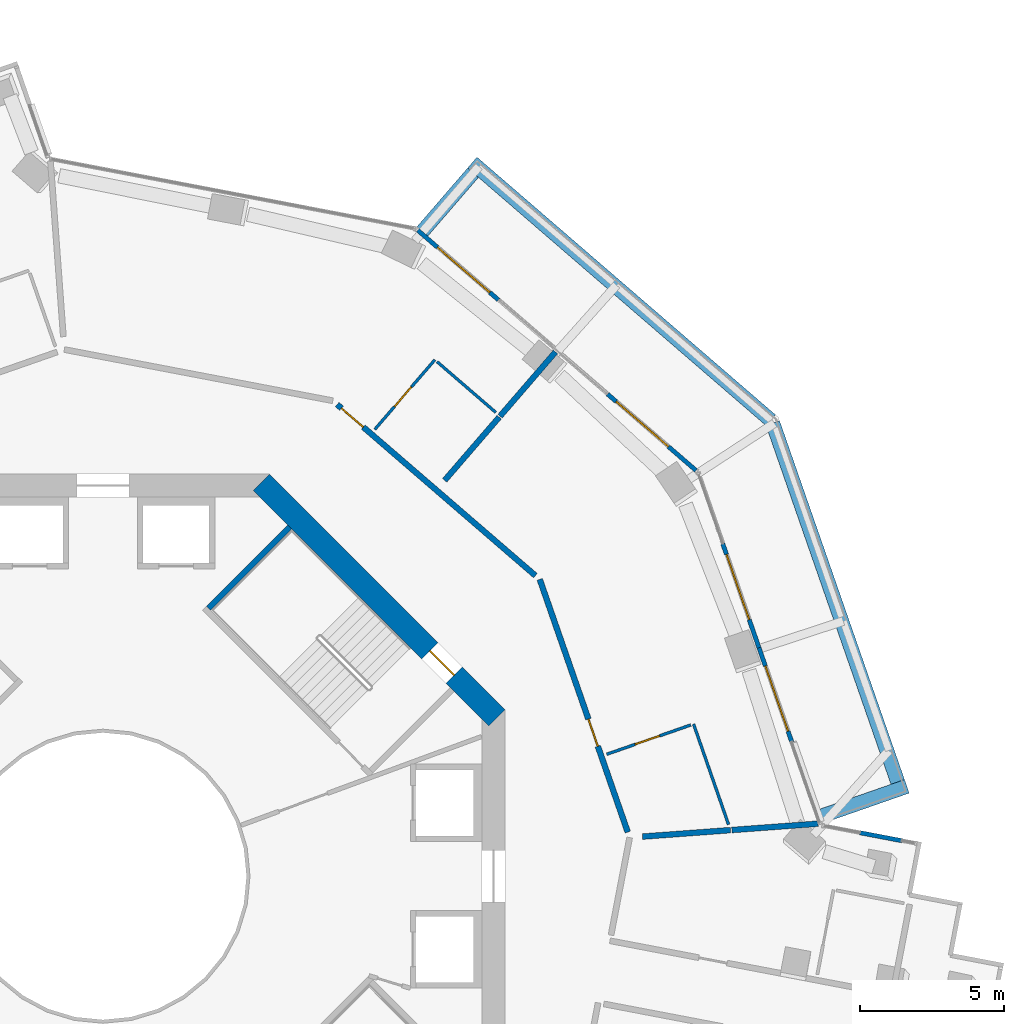
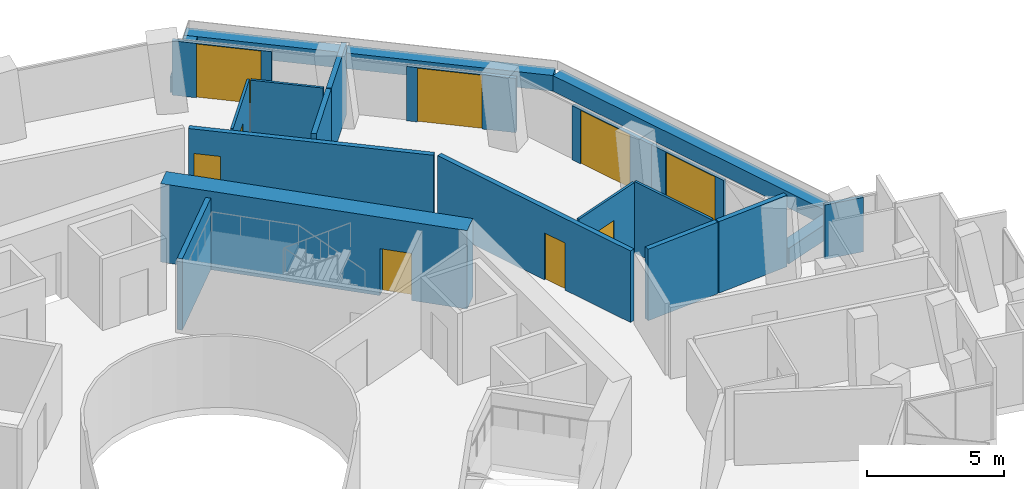
# One storey, part 20 of 23: 21 walls, 9 doors, 9 openings.
"""IFC4 building model written with IfcOpenShell, lengths in metres."""

import ifcopenshell
import ifcopenshell.guid

model = None  # the IFC model being written
_history = None  # IfcOwnerHistory: only IFC2X3 demands one
_inside = {}  # id of a spatial element -> (the spatial element, [elements in it])
_under = {}  # id of a project, library or spatial element -> (it, [spatial elements below it])
_declared = {}  # id of a project -> (the project, [libraries it declares])
_typed = {}  # id of a type object -> (the type object, [elements of that type])
_made_of = {}  # id of a material, layer set ... -> (it, [elements and type objects made of it])


def new_model(schema):
    """Start an empty IFC model of exactly this schema.

    Asked for "IFC4X3", IfcOpenShell would pick the latest addendum, in which some entities
    have other attributes; the version numbers below select the first issue.
    IFC2X3 requires an IfcOwnerHistory on every rooted entity: one is made here for all.
    """
    global model, _history
    if schema == "IFC4X3":
        model = ifcopenshell.file(schema_version=(4, 3, 0, 0))
    else:
        model = ifcopenshell.file(schema=schema)
    _inside.clear()
    _under.clear()
    _declared.clear()
    _typed.clear()
    _made_of.clear()
    _history = None
    if model.schema == "IFC2X3":
        org = make("IfcOrganization", Name="unknown")
        user = make(
            "IfcPersonAndOrganization",
            ThePerson=make("IfcPerson", FamilyName="unknown"),
            TheOrganization=org,
        )
        app = make(
            "IfcApplication",
            ApplicationDeveloper=org,
            Version="unknown",
            ApplicationFullName="unknown",
            ApplicationIdentifier="unknown",
        )
        _history = make(
            "IfcOwnerHistory",
            OwningUser=user,
            OwningApplication=app,
            ChangeAction="ADDED",
            CreationDate=0,
        )
    return model


def make(cls, **values):
    """One entity of the class cls with the attributes given. An attribute that is None is left unset."""
    return model.create_entity(
        cls, **{name: value for name, value in values.items() if value is not None}
    )


def rooted(cls, **values):
    """An entity with a GlobalId (a new one), such as an element, a storey or a relation."""
    return make(cls, GlobalId=ifcopenshell.guid.new(), OwnerHistory=_history, **values)


def si_unit(unit_type, name, prefix=None):
    """IfcSIUnit, for example si_unit("LENGTHUNIT", "METRE", prefix="MILLI")."""
    return make("IfcSIUnit", UnitType=unit_type, Prefix=prefix, Name=name)


def assignment(units):
    """IfcUnitAssignment: the units of a project."""
    return None if units is None else make("IfcUnitAssignment", Units=units)


def point(xyz):
    """IfcCartesianPoint."""
    return None if xyz is None else make("IfcCartesianPoint", Coordinates=xyz)


def direction(xyz):
    """IfcDirection."""
    return None if xyz is None else make("IfcDirection", DirectionRatios=xyz)


def frame(location, z_axis=None, x_axis=None):
    """IfcAxis2Placement3D, a coordinate frame: its origin and axes. An axis left out is left unset."""
    return make(
        "IfcAxis2Placement3D",
        Location=point(location),
        Axis=direction(z_axis),
        RefDirection=direction(x_axis),
    )


def frame_2d(location, x_axis=None):
    """IfcAxis2Placement2D, a coordinate frame in the plane: its origin and x axis."""
    return make(
        "IfcAxis2Placement2D", Location=point(location), RefDirection=direction(x_axis)
    )


def origin():
    """The frame at (0, 0, 0) with its axes left unset."""
    return frame((0.0, 0.0, 0.0))


def place(relative_to, where):
    """IfcLocalPlacement: puts the frame where relative to a parent placement (None: the world)."""
    return make(
        "IfcLocalPlacement", PlacementRelTo=relative_to, RelativePlacement=where
    )


def context(
    kind, dimensions, precision=None, world=None, true_north=None, identifier=None
):
    """IfcGeometricRepresentationContext, for example the 3D "Model" context."""
    return make(
        "IfcGeometricRepresentationContext",
        ContextIdentifier=identifier,
        ContextType=kind,
        CoordinateSpaceDimension=dimensions,
        Precision=precision,
        WorldCoordinateSystem=world,
        TrueNorth=true_north,
    )


def subcontext(parent, identifier, kind, view, scale=None):
    """IfcGeometricRepresentationSubContext, for example "Body" below "Model"."""
    return make(
        "IfcGeometricRepresentationSubContext",
        ContextIdentifier=identifier,
        ContextType=kind,
        ParentContext=parent,
        TargetScale=scale,
        TargetView=view,
    )


def project(units=None, contexts=None):
    """IfcProject with its units and contexts."""
    return rooted(
        "IfcProject",
        Name="project",
        RepresentationContexts=contexts,
        UnitsInContext=assignment(units),
    )


def spatial(cls, under=None, at=None, **own):
    """A site, building, storey or space (cls), placed at a placement, below another one or the project."""
    s = rooted(cls, ObjectPlacement=at, **own)
    if under is not None:
        _under.setdefault(under.id(), (under, []))[1].append(s)
    return s


def profile(cls, at=None, kind="AREA", **sizes):
    """A parametric profile (cls). Its sizes go by their IFC names, for example OverallWidth=200.0."""
    return make(cls, ProfileType=kind, Position=at, **sizes)


def rectangle(**sizes):
    """IfcRectangleProfileDef."""
    return profile("IfcRectangleProfileDef", **sizes)


def extrude(swept, where, along, depth):
    """IfcExtrudedAreaSolid: the profile swept, set in the frame where, extruded along a direction by depth."""
    return make(
        "IfcExtrudedAreaSolid",
        SweptArea=swept,
        Position=where,
        ExtrudedDirection=direction(along),
        Depth=depth,
    )


def shape(context_of_items, identifier, shape_type, items):
    """IfcShapeRepresentation: the items that make up one representation, for example the "Body"."""
    return make(
        "IfcShapeRepresentation",
        ContextOfItems=context_of_items,
        RepresentationIdentifier=identifier,
        RepresentationType=shape_type,
        Items=items,
    )


def material(Name=None, Category=None):
    """IfcMaterial."""
    return make("IfcMaterial", Name=Name, Category=Category)


def layer(
    of_material, thickness, ventilated=None, Name=None, Category=None, Priority=None
):
    """IfcMaterialLayer: one layer of a wall or slab, of a material (None: an air gap)."""
    return make(
        "IfcMaterialLayer",
        Material=of_material,
        LayerThickness=thickness,
        IsVentilated=ventilated,
        Name=Name,
        Category=Category,
        Priority=Priority,
    )


def layer_set(layers, Name=None):
    """IfcMaterialLayerSet."""
    return make("IfcMaterialLayerSet", MaterialLayers=layers, LayerSetName=Name)


def made_of(thing, what):
    """Note that an element or type object is made of a material, layer set ...; save() writes the relation."""
    if what is not None:
        _made_of.setdefault(what.id(), (what, []))[1].append(thing)
    return thing


def type_object(cls, material=None, **own):
    """A type object (cls), such as IfcWallType, which elements share."""
    return made_of(rooted(cls, **own), material)


def element(
    cls,
    number,
    at=None,
    inside=None,
    cuts=None,
    type_object=None,
    material=None,
    context=None,
    identifier="Body",
    shape_type=None,
    held_by="IfcProductDefinitionShape",
    body=None,
    shapes=None,
    **own,
):
    """One element of the class cls, such as IfcWall. Its Tag is "e" and its number.

    at: its placement. inside: the storey or other place that contains it. cuts: it is an
    opening in that element (IfcRelVoidsElement). A single representation is given by context,
    identifier, shape_type and body (its items); several are given by shapes. held_by: the class
    of the entity that holds the representations. save() writes the other relations.
    """
    e = rooted(cls, Tag="e%d" % number, ObjectPlacement=at, **own)
    if body is not None:
        shapes = [shape(context, identifier, shape_type, body)]
    if shapes is not None:
        e.Representation = make(held_by, Representations=shapes)
    if inside is not None:
        _inside.setdefault(inside.id(), (inside, []))[1].append(e)
    if cuts is not None:
        rooted(
            "IfcRelVoidsElement", RelatingBuildingElement=cuts, RelatedOpeningElement=e
        )
    if type_object is not None:
        _typed.setdefault(type_object.id(), (type_object, []))[1].append(e)
    return made_of(e, material)


def fill(opening, filler):
    """IfcRelFillsElement: the door or window that sits in an opening."""
    return rooted(
        "IfcRelFillsElement",
        RelatingOpeningElement=opening,
        RelatedBuildingElement=filler,
    )


def aggregate(whole, parts):
    """IfcRelAggregates: a whole, such as a stair, and the parts it consists of."""
    return rooted("IfcRelAggregates", RelatingObject=whole, RelatedObjects=parts)


def save(model, path):
    """Write the relations noted so far, then the file.

    IfcRelAggregates (storeys below a building ...), IfcRelContainedInSpatialStructure (elements
    in a storey), IfcRelDefinesByType, IfcRelAssociatesMaterial and IfcRelDeclares: one each for
    every whole, place, type object, material and project.
    """
    for whole, parts in _under.values():
        aggregate(whole, parts)
    for where, things in _inside.values():
        rooted(
            "IfcRelContainedInSpatialStructure",
            RelatedElements=things,
            RelatingStructure=where,
        )
    for kind, things in _typed.values():
        rooted("IfcRelDefinesByType", RelatedObjects=things, RelatingType=kind)
    for what, things in _made_of.values():
        rooted("IfcRelAssociatesMaterial", RelatedObjects=things, RelatingMaterial=what)
    for by, libraries in _declared.values():
        rooted("IfcRelDeclares", RelatingContext=by, RelatedDefinitions=libraries)
    model.write(path)


model = new_model("IFC4")

# Units and contexts
model_context = context("Model", 3, precision=1e-05, world=origin(), true_north=direction((0.0, 1.0)))
body_context = subcontext(model_context, "Body", "Model", "MODEL_VIEW")
ifc_project = project(units=[si_unit("LENGTHUNIT", "METRE"), si_unit("AREAUNIT", "SQUARE_METRE"), si_unit("VOLUMEUNIT", "CUBIC_METRE"), si_unit("PLANEANGLEUNIT", "RADIAN"), si_unit("MASSUNIT", "GRAM", prefix="KILO")], contexts=[model_context])

# Site, building, storey
site_placement = place(None, origin())
site = spatial("IfcSite", under=ifc_project, at=site_placement, CompositionType="ELEMENT")
building_placement = place(site_placement, origin())
building = spatial("IfcBuilding", under=site, at=building_placement, Name="Verdalira Terraces Hotel", CompositionType="ELEMENT")
storey_placement = place(building_placement, frame((0.0, 0.0, 111.5)))
storey = spatial("IfcBuildingStorey", under=building, at=storey_placement, Name="L26", CompositionType="ELEMENT", Elevation=111.5)

# Walls
ifc_material_1 = material(Name="Concrete C40", Category="concrete")
ifc_layer_1 = layer(ifc_material_1, 0.5)
ifc_layer_set_1 = layer_set([ifc_layer_1], Name="Balcony planter trough with tree")
wall_type_1 = type_object("IfcWallType", Name="Balcony planter trough with tree", PredefinedType="SOLIDWALL", material=ifc_layer_set_1)
wall_1_placement = place(storey_placement, frame((24.965332, 2.075684, 0.0), z_axis=(0.0, 0.0, 1.0), x_axis=(0.944378331, 0.328861017, 0.0)))
element("IfcWall", 1, at=wall_1_placement, inside=storey, type_object=wall_type_1, Name="Balcony planter", PredefinedType="SOLIDWALL", context=body_context, shape_type="SweptSolid", body=[
    extrude(rectangle(XDim=3.198975, YDim=0.5, at=frame_2d((1.599609, 0.0))), origin(), (0.0, 0.0, 1.0), 0.699951),
])
wall_2_placement = place(storey_placement, frame((27.668213, 3.281738, 0.0), z_axis=(0.0, 0.0, 1.0), x_axis=(-0.328877933, 0.94437244, 0.0)))
element("IfcWall", 2, at=wall_2_placement, inside=storey, type_object=wall_type_1, Name="Balcony planter", PredefinedType="SOLIDWALL", context=body_context, shape_type="SweptSolid", body=[
    extrude(rectangle(XDim=13.223389, YDim=0.5, at=frame_2d((6.611816, 0.0))), origin(), (0.0, 0.0, 1.0), 0.699951),
])
wall_3_placement = place(storey_placement, frame((23.246582, 15.876709, 0.0), z_axis=(0.0, 0.0, 1.0), x_axis=(-0.757002985, 0.653411418, 0.0)))
element("IfcWall", 3, at=wall_3_placement, inside=storey, type_object=wall_type_1, Name="Balcony planter", PredefinedType="SOLIDWALL", context=body_context, shape_type="SweptSolid", body=[
    extrude(rectangle(XDim=13.723389, YDim=0.5, at=frame_2d((6.861816, 0.0))), origin(), (0.0, 0.0, 1.0), 0.699951),
])
wall_4_placement = place(storey_placement, frame((12.883789, 24.491211, 0.0), z_axis=(0.0, 0.0, 1.0), x_axis=(-0.65337255, -0.757036532, 0.0)))
element("IfcWall", 4, at=wall_4_placement, inside=storey, type_object=wall_type_1, Name="Balcony planter", PredefinedType="SOLIDWALL", context=body_context, shape_type="SweptSolid", body=[
    extrude(rectangle(XDim=2.698975, YDim=0.5, at=frame_2d((1.349609, 0.0))), origin(), (0.0, 0.0, 1.0), 0.699951),
])

# Wall, opening, door
ifc_material_2 = material(Name="Moisture-resistant gypsum board partition")
ifc_layer_2 = layer(ifc_material_2, 0.10009765625)
ifc_layer_set_2 = layer_set([ifc_layer_2], Name="Bathroom partition 100 mm")
wall_type_2 = type_object("IfcWallType", Name="Bathroom partition 100 mm", PredefinedType="PARTITIONING", material=ifc_layer_set_2)
wall_5_placement = place(storey_placement, frame((11.554199, 17.977051, 0.0), z_axis=(0.0, 0.0, 1.0), x_axis=(-0.653401338, -0.757011685, 0.0)))
wall_5 = element("IfcWall", 5, at=wall_5_placement, inside=storey, type_object=wall_type_2, Name="Bathroom partition", PredefinedType="PARTITIONING", context=body_context, shape_type="SweptSolid", body=[
    extrude(rectangle(XDim=3.199951, YDim=0.100098, at=frame_2d((1.600098, 0.0))), origin(), (0.0, 0.0, 1.0), 3.189941),
])
opening_1_placement = place(wall_5_placement, frame((1.25, 0.0, 0.0)))
opening_1 = element("IfcOpeningElement", 6, at=opening_1_placement, cuts=wall_5, Name="Opening L26-130", PredefinedType="OPENING", context=body_context, shape_type="SweptSolid", body=[
    extrude(rectangle(XDim=0.899902, YDim=2.100098, at=frame_2d((0.449951, 1.050049))), frame((0.0, 0.060059, 0.0), z_axis=(0.0, -1.0, 0.0), x_axis=(1.0, 0.0, 0.0)), (0.0, 0.0, 1.0), 0.120117),
])
ifc_material_3 = material(Name="Timber door", Category="wood")
door_type_1 = type_object("IfcDoorType", Name="Bathroom door 900 x 2100", OperationType="NOTDEFINED", PredefinedType="DOOR", material=ifc_material_3)
door_1_placement = place(opening_1_placement, origin())
door_1 = element("IfcDoor", 7, at=door_1_placement, inside=storey, type_object=door_type_1, Name="Bathroom door 2614", OperationType="SINGLE_SWING_LEFT", OverallHeight=2.10009765625, OverallWidth=0.89990234375, PredefinedType="DOOR", context=body_context, shape_type="SweptSolid", body=[
    extrude(rectangle(XDim=0.899902, YDim=2.100098, at=frame_2d((0.449951, 1.050049))), frame((0.0, 0.024902, 0.0), z_axis=(0.0, -1.0, 0.0), x_axis=(1.0, 0.0, 0.0)), (0.0, 0.0, 1.0), 0.050049),
])
fill(opening_1, door_1)

# Wall
wall_6_placement = place(storey_placement, frame((11.629883, 17.911621, 0.0), z_axis=(0.0, 0.0, 1.0), x_axis=(0.757018158, -0.653393838, 0.0)))
element("IfcWall", 8, at=wall_6_placement, inside=storey, type_object=wall_type_2, Name="Bathroom partition", PredefinedType="PARTITIONING", context=body_context, shape_type="SweptSolid", body=[
    extrude(rectangle(XDim=2.699951, YDim=0.100098, at=frame_2d((1.350098, 0.0))), origin(), (0.0, 0.0, 1.0), 3.189941),
])

# Wall, opening, door
wall_7_placement = place(storey_placement, frame((20.465088, 5.264893, 0.0), z_axis=(0.0, 0.0, 1.0), x_axis=(-0.944369228, -0.328887157, 0.0)))
wall_7 = element("IfcWall", 9, at=wall_7_placement, inside=storey, type_object=wall_type_2, Name="Bathroom partition", PredefinedType="PARTITIONING", context=body_context, shape_type="SweptSolid", body=[
    extrude(rectangle(XDim=3.099854, YDim=0.100098, at=frame_2d((1.549805, 0.0))), origin(), (0.0, 0.0, 1.0), 3.189941),
])
opening_2_placement = place(wall_7_placement, frame((1.149902, 0.0, 0.0)))
opening_2 = element("IfcOpeningElement", 10, at=opening_2_placement, cuts=wall_7, Name="Opening L26-128", PredefinedType="OPENING", context=body_context, shape_type="SweptSolid", body=[
    extrude(rectangle(XDim=0.899902, YDim=2.100098, at=frame_2d((0.449951, 1.050049))), frame((0.0, 0.060059, 0.0), z_axis=(0.0, -1.0, 0.0), x_axis=(1.0, 0.0, 0.0)), (0.0, 0.0, 1.0), 0.120117),
])
door_2_placement = place(opening_2_placement, origin())
door_2 = element("IfcDoor", 11, at=door_2_placement, inside=storey, type_object=door_type_1, Name="Bathroom door 2613", OperationType="SINGLE_SWING_LEFT", OverallHeight=2.10009765625, OverallWidth=0.89990234375, PredefinedType="DOOR", context=body_context, shape_type="SweptSolid", body=[
    extrude(rectangle(XDim=0.899902, YDim=2.100098, at=frame_2d((0.449951, 1.050049))), frame((0.0, 0.024902, 0.0), z_axis=(0.0, -1.0, 0.0), x_axis=(1.0, 0.0, 0.0)), (0.0, 0.0, 1.0), 0.050049),
])
fill(opening_2, door_2)

# Walls
wall_8_placement = place(storey_placement, frame((20.559814, 5.297607, 0.0), z_axis=(0.0, 0.0, 1.0), x_axis=(0.32885552, -0.944380245, 0.0)))
element("IfcWall", 12, at=wall_8_placement, inside=storey, type_object=wall_type_2, Name="Bathroom partition", PredefinedType="PARTITIONING", context=body_context, shape_type="SweptSolid", body=[
    extrude(rectangle(XDim=3.703857, YDim=0.100098, at=frame_2d((1.852051, 0.0))), origin(), (0.0, 0.0, 1.0), 3.189941),
])
ifc_material_4 = material(Name="Concrete C50", Category="concrete")
ifc_layer_3 = layer(ifc_material_4, 0.199951171875)
ifc_layer_set_3 = layer_set([ifc_layer_3], Name="Core RC wall 200 C50")
wall_type_3 = type_object("IfcWallType", Name="Core RC wall 200 C50", PredefinedType="SOLIDWALL", material=ifc_layer_set_3)
wall_9_placement = place(storey_placement, frame((3.677002, 9.33374, 0.0), z_axis=(0.0, 0.0, 1.0), x_axis=(0.707106781, 0.707106781, 0.0)))
element("IfcWall", 13, at=wall_9_placement, inside=storey, type_object=wall_type_3, Name="L26 stair ST1 end wall 2", PredefinedType="SOLIDWALL", context=body_context, shape_type="SweptSolid", body=[
    extrude(rectangle(XDim=4.0, YDim=0.199951, at=frame_2d((2.0, 0.0))), origin(), (0.0, 0.0, 1.0), 3.189941),
])

# Wall, opening, door
ifc_material_5 = material(Name="Concrete C70", Category="concrete")
ifc_layer_4 = layer(ifc_material_5, 0.800048828125)
ifc_layer_set_4 = layer_set([ifc_layer_4], Name="Core wall 800 C70")
wall_type_4 = type_object("IfcWallType", Name="Core wall 800 C70", PredefinedType="SHEAR", material=ifc_layer_set_4)
wall_10_placement = place(storey_placement, frame((13.717285, 5.516113, 0.0), z_axis=(0.0, 0.0, 1.0), x_axis=(-0.707106781, 0.707106781, 0.0)))
wall_10 = element("IfcWall", 14, at=wall_10_placement, inside=storey, type_object=wall_type_4, Name="Core wall CW-L26-2", PredefinedType="SHEAR", context=body_context, shape_type="SweptSolid", body=[
    extrude(rectangle(XDim=11.598145, YDim=0.800049, at=frame_2d((5.799072, 0.0))), origin(), (0.0, 0.0, 1.0), 3.5),
])
opening_3_placement = place(wall_10_placement, frame((2.099121, 0.0, 0.0)))
opening_3 = element("IfcOpeningElement", 15, at=opening_3_placement, cuts=wall_10, Name="Opening L26-816", PredefinedType="OPENING", context=body_context, shape_type="SweptSolid", body=[
    extrude(rectangle(XDim=1.199951, YDim=2.100098, at=frame_2d((0.600098, 1.050049))), frame((0.0, 0.409912, 0.0), z_axis=(0.0, -1.0, 0.0), x_axis=(1.0, 0.0, 0.0)), (0.0, 0.0, 1.0), 0.820068),
])
ifc_material_6 = material(Name="Steel fire door", Category="steel")
door_type_2 = type_object("IfcDoorType", Name="Stair door 1200 x 2100", OperationType="NOTDEFINED", PredefinedType="DOOR", material=ifc_material_6)
door_3_placement = place(opening_3_placement, origin())
door_3 = element("IfcDoor", 16, at=door_3_placement, inside=storey, type_object=door_type_2, Name="Stair exit door ST1 L26", OperationType="SINGLE_SWING_LEFT", OverallHeight=2.10009765625, OverallWidth=1.199951171875, PredefinedType="DOOR", context=body_context, shape_type="SweptSolid", body=[
    extrude(rectangle(XDim=1.199951, YDim=2.100098, at=frame_2d((0.600098, 1.050049))), frame((0.0, 0.024902, 0.0), z_axis=(0.0, -1.0, 0.0), x_axis=(1.0, 0.0, 0.0)), (0.0, 0.0, 1.0), 0.050049),
])
fill(opening_3, door_3)

# Walls
ifc_material_7 = material(Name="Fire-rated gypsum board wall")
ifc_layer_5 = layer(ifc_material_7, 0.199951171875)
ifc_layer_set_5 = layer_set([ifc_layer_5], Name="Demising wall 200 mm")
wall_type_5 = type_object("IfcWallType", Name="Demising wall 200 mm", PredefinedType="SOLIDWALL", material=ifc_layer_set_5)
wall_11_placement = place(storey_placement, frame((11.895996, 13.781494, 0.0), z_axis=(0.0, 0.0, 1.0), x_axis=(0.653390076, 0.757021406, 0.0)))
element("IfcWall", 17, at=wall_11_placement, inside=storey, type_object=wall_type_5, Name="Demising wall", PredefinedType="SOLIDWALL", context=body_context, shape_type="SweptSolid", body=[
    extrude(rectangle(XDim=2.904785, YDim=0.199951, at=frame_2d((1.452393, 0.0))), origin(), (0.0, 0.0, 1.0), 3.189941),
])
wall_12_placement = place(storey_placement, frame((13.823975, 16.015137, 0.0), z_axis=(0.0, 0.0, 1.0), x_axis=(0.653389434, 0.75702196, 0.0)))
element("IfcWall", 18, at=wall_12_placement, inside=storey, type_object=wall_type_5, Name="Demising wall", PredefinedType="SOLIDWALL", context=body_context, shape_type="SweptSolid", body=[
    extrude(rectangle(XDim=2.951904, YDim=0.199951, at=frame_2d((1.476074, 0.0))), origin(), (0.0, 0.0, 1.0), 3.189941),
])
wall_13_placement = place(storey_placement, frame((18.781494, 1.37915, 0.0), z_axis=(0.0, 0.0, 1.0), x_axis=(0.997310699, 0.073289632, 0.0)))
element("IfcWall", 19, at=wall_13_placement, inside=storey, type_object=wall_type_5, Name="Demising wall", PredefinedType="SOLIDWALL", context=body_context, shape_type="SweptSolid", body=[
    extrude(rectangle(XDim=3.074707, YDim=0.199951, at=frame_2d((1.537354, 0.0))), origin(), (0.0, 0.0, 1.0), 3.189941),
])
wall_14_placement = place(storey_placement, frame((21.893799, 1.60791, 0.0), z_axis=(0.0, 0.0, 1.0), x_axis=(0.997316425, 0.073211668, 0.0)))
element("IfcWall", 20, at=wall_14_placement, inside=storey, type_object=wall_type_5, Name="Demising wall", PredefinedType="SOLIDWALL", context=body_context, shape_type="SweptSolid", body=[
    extrude(rectangle(XDim=3.01123, YDim=0.199951, at=frame_2d((1.505615, 0.0))), origin(), (0.0, 0.0, 1.0), 3.189941),
])

# Wall, opening, door
ifc_material_8 = material(Name="Fire-rated gypsum board wall")
ifc_layer_6 = layer(ifc_material_8, 0.199951171875)
ifc_layer_set_6 = layer_set([ifc_layer_6], Name="Guest corridor wall 200 mm")
wall_type_6 = type_object("IfcWallType", Name="Guest corridor wall 200 mm", PredefinedType="SOLIDWALL", material=ifc_layer_set_6)
wall_15_placement = place(storey_placement, frame((8.15332, 16.421143, 0.0), z_axis=(0.0, 0.0, 1.0), x_axis=(0.757004243, -0.65340996, 0.0)))
wall_15 = element("IfcWall", 21, at=wall_15_placement, inside=storey, type_object=wall_type_6, Name="Guest corridor wall", PredefinedType="SOLIDWALL", context=body_context, shape_type="SweptSolid", body=[
    extrude(rectangle(XDim=9.115723, YDim=0.199951, at=frame_2d((4.557861, 0.0))), origin(), (0.0, 0.0, 1.0), 3.189941),
])
opening_4_placement = place(wall_15_placement, frame((0.199951, 0.0, 0.0)))
opening_4 = element("IfcOpeningElement", 22, at=opening_4_placement, cuts=wall_15, Name="Opening L26-129", PredefinedType="OPENING", context=body_context, shape_type="SweptSolid", body=[
    extrude(rectangle(XDim=1.0, YDim=2.100098, at=frame_2d((0.5, 1.050049))), frame((0.0, 0.109863, 0.0), z_axis=(0.0, -1.0, 0.0), x_axis=(1.0, 0.0, 0.0)), (0.0, 0.0, 1.0), 0.219971),
])
ifc_material_9 = material(Name="Timber fire door", Category="wood")
door_type_3 = type_object("IfcDoorType", Name="Guest entry door 1000 x 2100", OperationType="NOTDEFINED", PredefinedType="DOOR", material=ifc_material_9)
door_4_placement = place(opening_4_placement, origin())
door_4 = element("IfcDoor", 23, at=door_4_placement, inside=storey, type_object=door_type_3, Name="Guest entry door 2614", OperationType="SINGLE_SWING_LEFT", OverallHeight=2.10009765625, OverallWidth=1.0, PredefinedType="DOOR", context=body_context, shape_type="SweptSolid", body=[
    extrude(rectangle(XDim=1.0, YDim=2.100098, at=frame_2d((0.5, 1.050049))), frame((0.0, 0.024902, 0.0), z_axis=(0.0, -1.0, 0.0), x_axis=(1.0, 0.0, 0.0)), (0.0, 0.0, 1.0), 0.050049),
])
fill(opening_4, door_4)

wall_16_placement = place(storey_placement, frame((15.205811, 10.333252, 0.0), z_axis=(0.0, 0.0, 1.0), x_axis=(0.328865176, -0.944376882, 0.0)))
wall_16 = element("IfcWall", 24, at=wall_16_placement, inside=storey, type_object=wall_type_6, Name="Guest corridor wall", PredefinedType="SOLIDWALL", context=body_context, shape_type="SweptSolid", body=[
    extrude(rectangle(XDim=9.315918, YDim=0.199951, at=frame_2d((4.657959, 0.0))), origin(), (0.0, 0.0, 1.0), 3.189941),
])
opening_5_placement = place(wall_16_placement, frame((5.149902, 0.0, 0.0)))
opening_5 = element("IfcOpeningElement", 25, at=opening_5_placement, cuts=wall_16, Name="Opening L26-127", PredefinedType="OPENING", context=body_context, shape_type="SweptSolid", body=[
    extrude(rectangle(XDim=1.0, YDim=2.100098, at=frame_2d((0.5, 1.050049))), frame((0.0, 0.109863, 0.0), z_axis=(0.0, -1.0, 0.0), x_axis=(1.0, 0.0, 0.0)), (0.0, 0.0, 1.0), 0.219971),
])
door_5_placement = place(opening_5_placement, origin())
door_5 = element("IfcDoor", 26, at=door_5_placement, inside=storey, type_object=door_type_3, Name="Guest entry door 2613", OperationType="SINGLE_SWING_LEFT", OverallHeight=2.10009765625, OverallWidth=1.0, PredefinedType="DOOR", context=body_context, shape_type="SweptSolid", body=[
    extrude(rectangle(XDim=1.0, YDim=2.100098, at=frame_2d((0.5, 1.050049))), frame((0.0, 0.024902, 0.0), z_axis=(0.0, -1.0, 0.0), x_axis=(1.0, 0.0, 0.0)), (0.0, 0.0, 1.0), 0.050049),
])
fill(opening_5, door_5)

# Wall
ifc_material_10 = material(Name="Terracotta cladding", Category="masonry")
ifc_layer_7 = layer(ifc_material_10, 0.14990234375)
ifc_layer_set_7 = layer_set([ifc_layer_7], Name="Terracotta column pier 150")
wall_type_7 = type_object("IfcWallType", Name="Terracotta column pier 150", PredefinedType="SOLIDWALL", material=ifc_layer_set_7)
wall_17_placement = place(storey_placement, frame((27.81543, 1.234863, 0.0), z_axis=(0.0, 0.0, 1.0), x_axis=(-0.982305565, 0.187285281, 0.0)))
element("IfcWall", 27, at=wall_17_placement, inside=storey, type_object=wall_type_7, Name="Terracotta column pier", PredefinedType="SOLIDWALL", context=body_context, shape_type="SweptSolid", body=[
    extrude(rectangle(XDim=1.48999, YDim=0.149902, at=frame_2d((0.745117, 0.0))), origin(), (0.0, 0.0, 1.0), 2.425049),
])

# Wall, opening, door
ifc_material_11 = material(Name="Terracotta cladding", Category="masonry")
ifc_layer_8 = layer(ifc_material_11, 0.14990234375)
ifc_layer_set_8 = layer_set([ifc_layer_8], Name="Terracotta door pier 150")
wall_type_8 = type_object("IfcWallType", Name="Terracotta door pier 150", PredefinedType="SOLIDWALL", material=ifc_layer_set_8)
wall_18_placement = place(storey_placement, frame((23.980957, 4.671387, 0.0), z_axis=(0.0, 0.0, 1.0), x_axis=(-0.328866668, 0.944376363, 0.0)))
wall_18 = element("IfcWall", 28, at=wall_18_placement, inside=storey, type_object=wall_type_8, Name="Terracotta door pier", PredefinedType="SOLIDWALL", context=body_context, shape_type="SweptSolid", body=[
    extrude(rectangle(XDim=3.475098, YDim=0.149902, at=frame_2d((1.737549, 0.0))), origin(), (0.0, 0.0, 1.0), 2.425049),
])
opening_6_placement = place(wall_18_placement, frame((0.399902, 0.0, 0.0)))
opening_6 = element("IfcOpeningElement", 29, at=opening_6_placement, cuts=wall_18, Name="Opening L26-B14", PredefinedType="OPENING", context=body_context, shape_type="SweptSolid", body=[
    extrude(rectangle(XDim=2.399902, YDim=2.399902, at=frame_2d((1.199951, 1.199951))), frame((0.0, 0.084961, 0.0), z_axis=(0.0, -1.0, 0.0), x_axis=(1.0, 0.0, 0.0)), (0.0, 0.0, 1.0), 0.169922),
])
ifc_material_12 = material(Name="Clear glass", Category="glass")
door_type_4 = type_object("IfcDoorType", Name="Balcony sliding door 2400x2400", OperationType="NOTDEFINED", PredefinedType="DOOR", material=ifc_material_12)
door_6_placement = place(opening_6_placement, origin())
door_6 = element("IfcDoor", 30, at=door_6_placement, inside=storey, type_object=door_type_4, Name="Balcony sliding door", OperationType="SLIDING_TO_RIGHT", OverallHeight=2.39990234375, OverallWidth=2.39990234375, PredefinedType="DOOR", context=body_context, shape_type="SweptSolid", body=[
    extrude(rectangle(XDim=2.399902, YDim=2.399902, at=frame_2d((1.199951, 1.199951))), frame((0.0, 0.024902, 0.0), z_axis=(0.0, -1.0, 0.0), x_axis=(1.0, 0.0, 0.0)), (0.0, 0.0, 1.0), 0.050049),
])
fill(opening_6, door_6)

wall_19_placement = place(storey_placement, frame((22.838135, 7.953125, 0.0), z_axis=(0.0, 0.0, 1.0), x_axis=(-0.328841564, 0.944385104, 0.0)))
wall_19 = element("IfcWall", 31, at=wall_19_placement, inside=storey, type_object=wall_type_8, Name="Terracotta door pier", PredefinedType="SOLIDWALL", context=body_context, shape_type="SweptSolid", body=[
    extrude(rectangle(XDim=3.835449, YDim=0.149902, at=frame_2d((1.917725, 0.0))), origin(), (0.0, 0.0, 1.0), 2.425049),
])
opening_7_placement = place(wall_19_placement, frame((1.0354, 0.0, 0.0)))
opening_7 = element("IfcOpeningElement", 32, at=opening_7_placement, cuts=wall_19, Name="Opening L26-B15", PredefinedType="OPENING", context=body_context, shape_type="SweptSolid", body=[
    extrude(rectangle(XDim=2.399902, YDim=2.399902, at=frame_2d((1.199951, 1.199951))), frame((0.0, 0.084961, 0.0), z_axis=(0.0, -1.0, 0.0), x_axis=(1.0, 0.0, 0.0)), (0.0, 0.0, 1.0), 0.169922),
])
door_7_placement = place(opening_7_placement, origin())
door_7 = element("IfcDoor", 33, at=door_7_placement, inside=storey, type_object=door_type_4, Name="Balcony sliding door", OperationType="SLIDING_TO_LEFT", OverallHeight=2.39990234375, OverallWidth=2.39990234375, PredefinedType="DOOR", context=body_context, shape_type="SweptSolid", body=[
    extrude(rectangle(XDim=2.399902, YDim=2.399902, at=frame_2d((1.199951, 1.199951))), frame((0.0, 0.024902, 0.0), z_axis=(0.0, -1.0, 0.0), x_axis=(1.0, 0.0, 0.0)), (0.0, 0.0, 1.0), 0.050049),
])
fill(opening_7, door_7)

wall_20_placement = place(storey_placement, frame((20.646484, 14.125, 0.0), z_axis=(0.0, 0.0, 1.0), x_axis=(-0.757002464, 0.653412021, 0.0)))
wall_20 = element("IfcWall", 34, at=wall_20_placement, inside=storey, type_object=wall_type_8, Name="Terracotta door pier", PredefinedType="SOLIDWALL", context=body_context, shape_type="SweptSolid", body=[
    extrude(rectangle(XDim=4.067871, YDim=0.149902, at=frame_2d((2.033936, 0.0))), origin(), (0.0, 0.0, 1.0), 2.425049),
])
opening_8_placement = place(wall_20_placement, frame((1.267822, 0.0, 0.0)))
opening_8 = element("IfcOpeningElement", 35, at=opening_8_placement, cuts=wall_20, Name="Opening L26-B16", PredefinedType="OPENING", context=body_context, shape_type="SweptSolid", body=[
    extrude(rectangle(XDim=2.399902, YDim=2.399902, at=frame_2d((1.199951, 1.199951))), frame((0.0, 0.084961, 0.0), z_axis=(0.0, -1.0, 0.0), x_axis=(1.0, 0.0, 0.0)), (0.0, 0.0, 1.0), 0.169922),
])
door_8_placement = place(opening_8_placement, origin())
door_8 = element("IfcDoor", 36, at=door_8_placement, inside=storey, type_object=door_type_4, Name="Balcony sliding door", OperationType="SLIDING_TO_LEFT", OverallHeight=2.39990234375, OverallWidth=2.39990234375, PredefinedType="DOOR", context=body_context, shape_type="SweptSolid", body=[
    extrude(rectangle(XDim=2.399902, YDim=2.399902, at=frame_2d((1.199951, 1.199951))), frame((0.0, 0.024902, 0.0), z_axis=(0.0, -1.0, 0.0), x_axis=(1.0, 0.0, 0.0)), (0.0, 0.0, 1.0), 0.050049),
])
fill(opening_8, door_8)

wall_21_placement = place(storey_placement, frame((13.765869, 20.064209, 0.0), z_axis=(0.0, 0.0, 1.0), x_axis=(-0.756994614, 0.653421116, 0.0)))
wall_21 = element("IfcWall", 37, at=wall_21_placement, inside=storey, type_object=wall_type_8, Name="Terracotta door pier", PredefinedType="SOLIDWALL", context=body_context, shape_type="SweptSolid", body=[
    extrude(rectangle(XDim=3.710205, YDim=0.149902, at=frame_2d((1.85498, 0.0))), origin(), (0.0, 0.0, 1.0), 2.425049),
])
opening_9_placement = place(wall_21_placement, frame((0.399902, 0.0, 0.0)))
opening_9 = element("IfcOpeningElement", 38, at=opening_9_placement, cuts=wall_21, Name="Opening L26-B17", PredefinedType="OPENING", context=body_context, shape_type="SweptSolid", body=[
    extrude(rectangle(XDim=2.399902, YDim=2.399902, at=frame_2d((1.199951, 1.199951))), frame((0.0, 0.084961, 0.0), z_axis=(0.0, -1.0, 0.0), x_axis=(1.0, 0.0, 0.0)), (0.0, 0.0, 1.0), 0.169922),
])
door_9_placement = place(opening_9_placement, origin())
door_9 = element("IfcDoor", 39, at=door_9_placement, inside=storey, type_object=door_type_4, Name="Balcony sliding door", OperationType="SLIDING_TO_RIGHT", OverallHeight=2.39990234375, OverallWidth=2.39990234375, PredefinedType="DOOR", context=body_context, shape_type="SweptSolid", body=[
    extrude(rectangle(XDim=2.399902, YDim=2.399902, at=frame_2d((1.199951, 1.199951))), frame((0.0, 0.024902, 0.0), z_axis=(0.0, -1.0, 0.0), x_axis=(1.0, 0.0, 0.0)), (0.0, 0.0, 1.0), 0.050049),
])
fill(opening_9, door_9)

save(model, "model.ifc")
